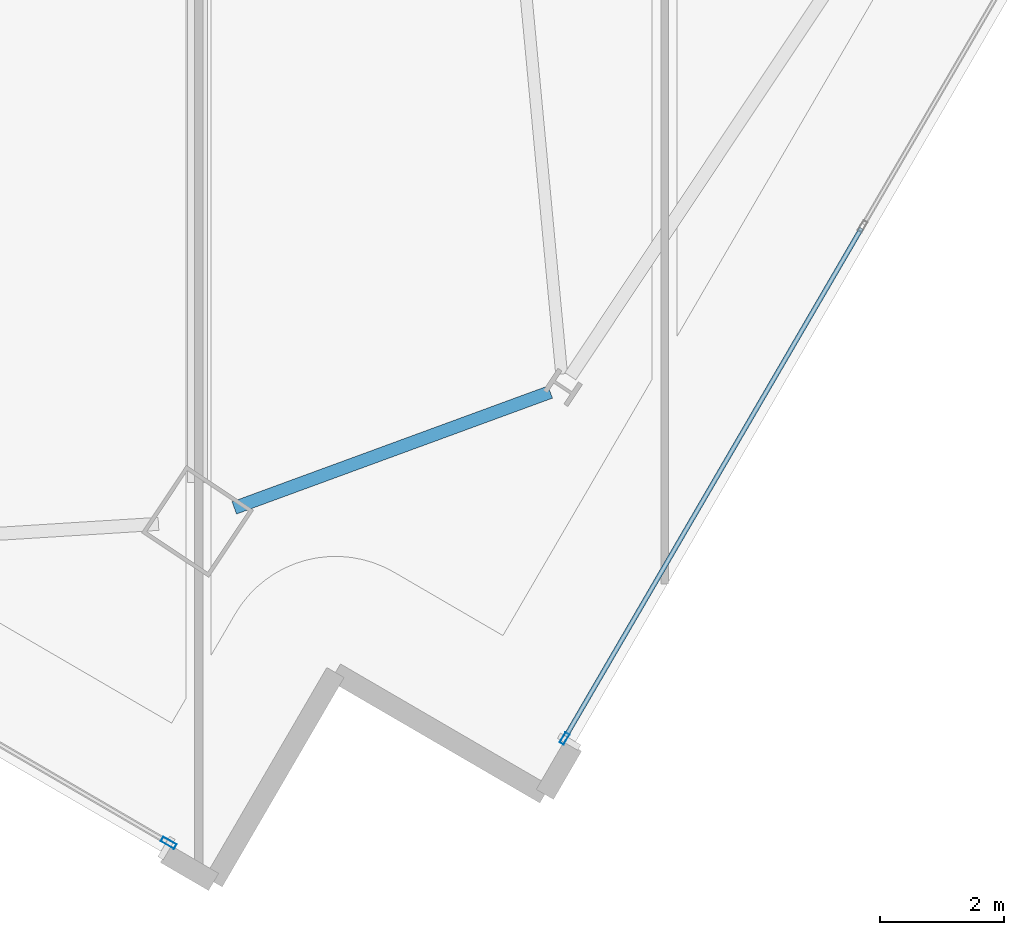
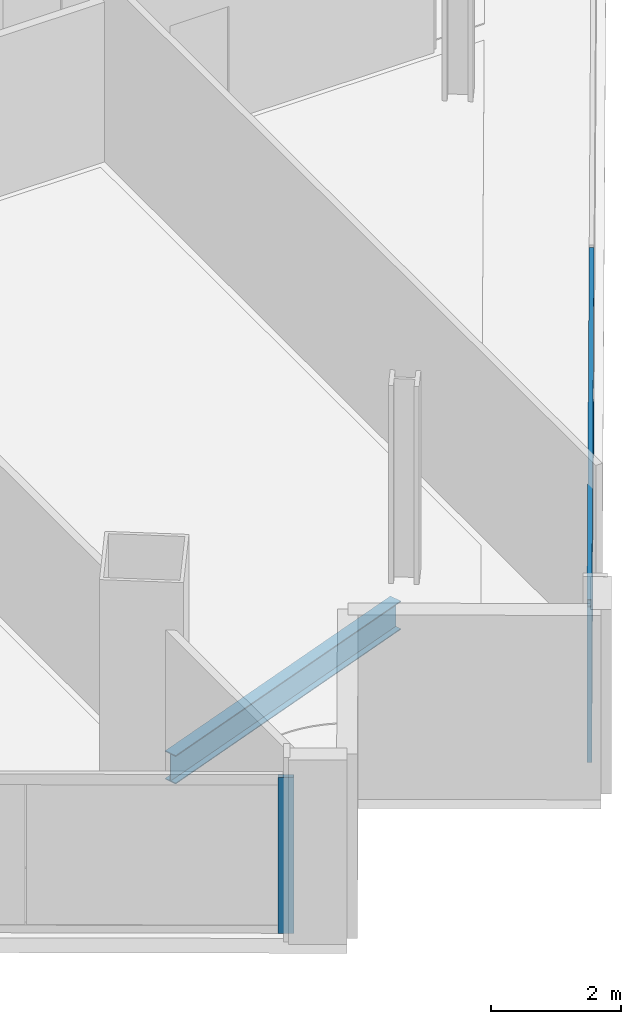
# One storey, part 7 of 29: 4 members, 1 beam, 2 elements without a shape of their own.
"""IFC4 building model written with IfcOpenShell, lengths in metres."""

from ifc_helpers import new_model, si_unit, direction, frame, origin, origin_2d, place, context, subcontext, project, spatial, hollow_rectangle, i_section, extrude, material, material_profile, profile_set, type_object, element, aggregate, save


model = new_model("IFC4")

# Units and contexts
model_context = context("Model", 3, precision=1e-05, world=origin(), true_north=direction((0.0, 1.0)))
body_context = subcontext(model_context, "Body", "Model", "MODEL_VIEW")
ifc_project = project(units=[si_unit("LENGTHUNIT", "METRE"), si_unit("AREAUNIT", "SQUARE_METRE"), si_unit("VOLUMEUNIT", "CUBIC_METRE"), si_unit("PLANEANGLEUNIT", "RADIAN"), si_unit("MASSUNIT", "GRAM", prefix="KILO")], contexts=[model_context])

# Site, building, storey
site_placement = place(None, origin())
site = spatial("IfcSite", under=ifc_project, at=site_placement, CompositionType="ELEMENT")
building_placement = place(site_placement, origin())
building = spatial("IfcBuilding", under=site, at=building_placement, Name="Haldenkirk Collegiate Tower", CompositionType="ELEMENT")
storey_placement = place(building_placement, frame((0.0, 0.0, 228.449951171875)))
storey = spatial("IfcBuildingStorey", under=building, at=storey_placement, Name="L57", CompositionType="ELEMENT", Elevation=228.449951171875)

# Beam
ifc_material_1 = material(Name="Steel ASTM A992 Grade 50", Category="steel")
ifc_material_profile_1 = material_profile(ifc_material_1, i_section(OverallWidth=0.2099609375, OverallDepth=0.537109375, WebThickness=0.010986328125, FlangeThickness=0.017333984375, at=origin_2d()), Name="W21X68")
ifc_profile_set_1 = profile_set([ifc_material_profile_1], Name="Steel ASTM A992 Grade 50")
beam_type = type_object("IfcBeamType", Name="BM-SPANDREL-W21X68", PredefinedType="SPANDREL", material=ifc_profile_set_1)
beam_placement = place(storey_placement, frame((41.07421875, 1.5498046875, -0.54833984375), z_axis=(0.938836975249, 0.344361922843, 0.0), x_axis=(-0.344361922843, 0.938836975249, 0.0)))
element("IfcBeam", 1, at=beam_placement, inside=storey, type_object=beam_type, Name="L57 perimeter spandrel beam 01", PredefinedType="SPANDREL", context=body_context, shape_type="SweptSolid", body=[
    extrude(i_section(OverallWidth=0.2099609375, OverallDepth=0.537109375, WebThickness=0.010986328125, FlangeThickness=0.017333984375, at=origin_2d()), origin(), (0.0, 0.0, 1.0), 5.41650390625),
])

# Curtain wall, member
ifc_material_2 = material(Name="Anodised architectural bronze aluminium", Category="aluminium")
curtain_wall_type_1 = type_object("IfcCurtainWallType", Name="CW-SYS2-CONCAVE", PredefinedType="USERDEFINED", material=ifc_material_2)
curtain_wall_1_placement = place(storey_placement, origin())
curtain_wall_1 = element("IfcCurtainWall", 2, at=curtain_wall_1_placement, inside=storey, type_object=curtain_wall_type_1, Name="L57 South concave recessed bronze-anodised curtain wall", ObjectType="UNITISED CURTAIN WALL", PredefinedType="USERDEFINED")
ifc_material_profile_2 = material_profile(ifc_material_2, hollow_rectangle(XDim=0.074951171875, YDim=0.18994140625, WallThickness=0.0048828125, at=origin_2d()), Name="CW-MUL-02")
ifc_profile_set_2 = profile_set([ifc_material_profile_2], Name="Anodised architectural bronze aluminium")
member_type_1 = type_object("IfcMemberType", Name="CW-MUL-02", PredefinedType="MULLION", material=ifc_profile_set_2)
member_1_placement = place(storey_placement, frame((46.3896484375, -2.160888671875, 0.0), z_axis=(0.0, 0.0, 1.0), x_axis=(0.864275549506, -0.503018662205, 0.0)))
member_1 = element("IfcMember", 3, at=member_1_placement, type_object=member_type_1, Name="CW-02 mullion 5", PredefinedType="MULLION", context=body_context, shape_type="SweptSolid", body=[
    extrude(hollow_rectangle(XDim=0.074951171875, YDim=0.18994140625, WallThickness=0.0048828125, at=origin_2d()), origin(), (0.0, 0.0, 1.0), 2.927978515625),
])

curtain_wall_type_2 = type_object("IfcCurtainWallType", Name="CW-SYS1B-CONVEX-HI", PredefinedType="USERDEFINED", material=ifc_material_2)
curtain_wall_2_placement = place(storey_placement, origin())
curtain_wall_2 = element("IfcCurtainWall", 4, at=curtain_wall_2_placement, inside=storey, type_object=curtain_wall_type_2, Name="L57 Upper tower high-wind convex bronze unitised curtain wall", ObjectType="UNITISED CURTAIN WALL", PredefinedType="USERDEFINED")
ifc_material_profile_3 = material_profile(ifc_material_2, hollow_rectangle(XDim=0.0849609375, YDim=0.25, WallThickness=0.0048828125, at=origin_2d()), Name="CW-MUL-1B")
ifc_profile_set_3 = profile_set([ifc_material_profile_3], Name="Anodised architectural bronze aluminium")
member_type_2 = type_object("IfcMemberType", Name="CW-MUL-1B", PredefinedType="MULLION", material=ifc_profile_set_3)
member_2_placement = place(storey_placement, frame((40.01708984375, -3.8408203125, 0.0), z_axis=(0.0, 0.0, 1.0), x_axis=(-0.503017981006, -0.864275945972, 0.0)))
member_2 = element("IfcMember", 5, at=member_2_placement, type_object=member_type_2, Name="CW-1B mullion 1", PredefinedType="MULLION", context=body_context, shape_type="SweptSolid", body=[
    extrude(hollow_rectangle(XDim=0.0849609375, YDim=0.25, WallThickness=0.0048828125, at=origin_2d()), origin(), (0.0, 0.0, 1.0), 2.927978515625),
])
aggregate(curtain_wall_2, [member_2])

# Member
ifc_material_profile_4 = material_profile(ifc_material_2, hollow_rectangle(XDim=0.074951171875, YDim=0.159912109375, WallThickness=0.0048828125, at=origin_2d()), Name="CW-TRN-02")
ifc_profile_set_4 = profile_set([ifc_material_profile_4], Name="Anodised architectural bronze aluminium")
member_type_3 = type_object("IfcMemberType", Name="CW-TRN-02", PredefinedType="USERDEFINED", material=ifc_profile_set_4)
member_3_placement = place(storey_placement, frame((51.16845703125, 6.049560546875, 0.03759765625), z_axis=(-0.503033407031, -0.864266967673, 0.0), x_axis=(0.864266967673, -0.503033407031, 0.0)))
member_3 = element("IfcMember", 6, at=member_3_placement, type_object=member_type_3, Name="CW-02 transom 4.1", ObjectType="TRANSOM", PredefinedType="USERDEFINED", context=body_context, shape_type="SweptSolid", body=[
    extrude(hollow_rectangle(XDim=0.074951171875, YDim=0.159912109375, WallThickness=0.0048828125, at=origin_2d()), origin(), (0.0, 0.0, 1.0), 9.462646484375),
])

member_4_placement = place(storey_placement, frame((51.16845703125, 6.049560546875, 2.890625), z_axis=(-0.503033407031, -0.864266967673, 0.0), x_axis=(0.864266967673, -0.503033407031, 0.0)))
member_4 = element("IfcMember", 7, at=member_4_placement, type_object=member_type_3, Name="CW-02 transom 4.2", ObjectType="TRANSOM", PredefinedType="USERDEFINED", context=body_context, shape_type="SweptSolid", body=[
    extrude(hollow_rectangle(XDim=0.074951171875, YDim=0.159912109375, WallThickness=0.0048828125, at=origin_2d()), origin(), (0.0, 0.0, 1.0), 9.462646484375),
])

aggregate(curtain_wall_1, [member_1, member_3, member_4])

save(model, "model.ifc")
